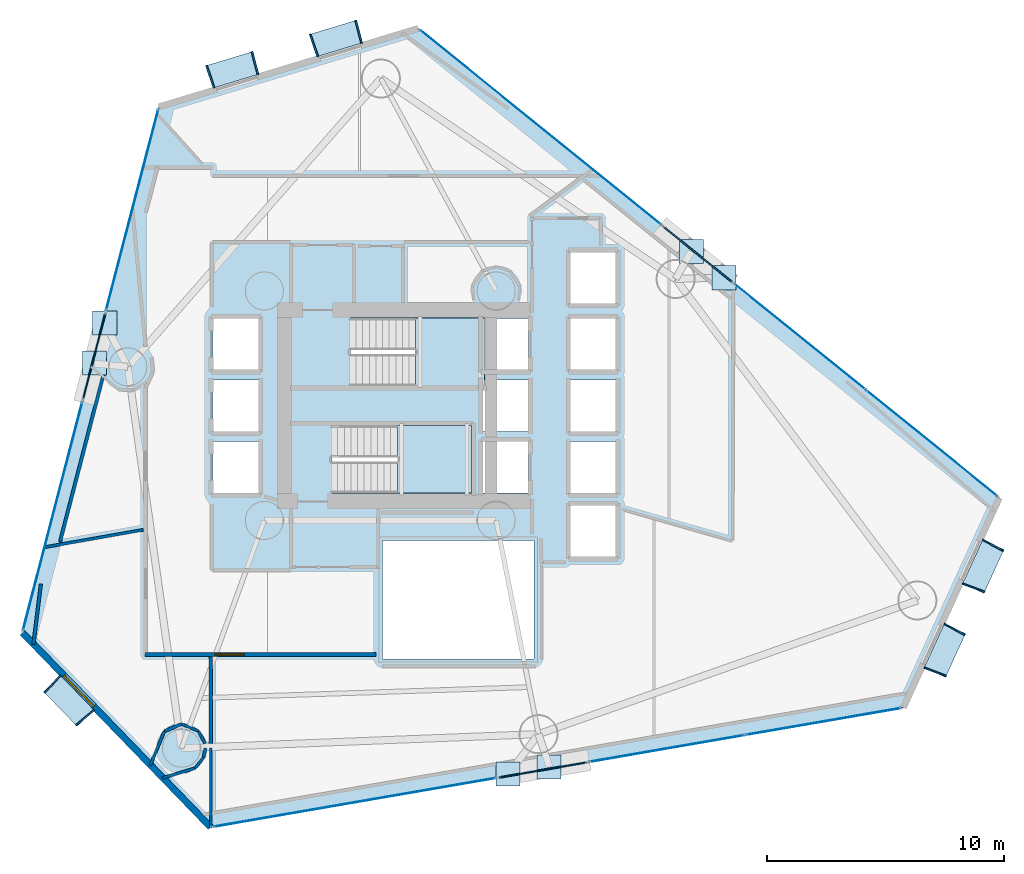
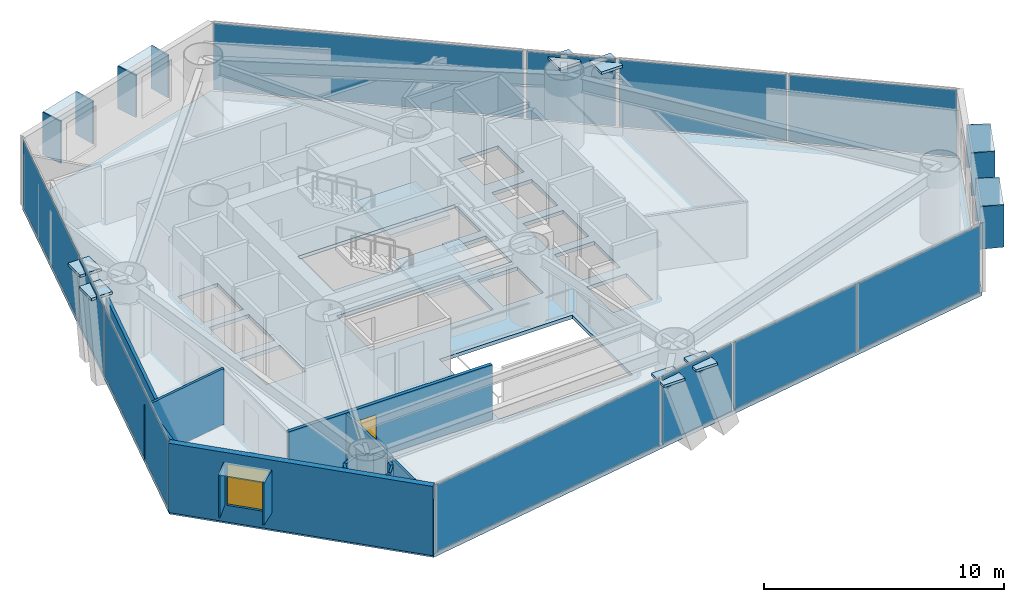
# One storey, part 16 of 23: 32 plates, 14 walls, 3 slabs, 1 door, 1 window, 2 openings, 11 elements without a shape of their own.
"""IFC4 building model written with IfcOpenShell, lengths in metres."""

from ifc_helpers import new_model, si_unit, direction, frame, frame_2d, origin, origin_2d, place, context, subcontext, project, spatial, polyline, rectangle, outline, extrude, material, layer, layer_set, type_object, element, fill, aggregate, save


model = new_model("IFC4")

# Units and contexts
model_context = context("Model", 3, precision=1e-05, world=origin(), true_north=direction((0.0, 1.0)))
body_context = subcontext(model_context, "Body", "Model", "MODEL_VIEW")
ifc_project = project(units=[si_unit("LENGTHUNIT", "METRE"), si_unit("AREAUNIT", "SQUARE_METRE"), si_unit("VOLUMEUNIT", "CUBIC_METRE"), si_unit("PLANEANGLEUNIT", "RADIAN"), si_unit("MASSUNIT", "GRAM", prefix="KILO")], contexts=[model_context])

# Site, building, storey
site_placement = place(None, origin())
site = spatial("IfcSite", under=ifc_project, at=site_placement, CompositionType="ELEMENT")
building_placement = place(site_placement, origin())
building = spatial("IfcBuilding", under=site, at=building_placement, Name="Qianvela Tower", CompositionType="ELEMENT")
storey_placement = place(building_placement, frame((0.0, 0.0, 82.10009765625)))
storey = spatial("IfcBuildingStorey", under=building, at=storey_placement, Name="L20", CompositionType="ELEMENT", Elevation=82.10009765625)

# Curtain wall, plate
ifc_material_1 = material(Name="Anodised Architectural Aluminium and Insulated Spandrel Panel", Category="aluminium")
ifc_layer_1 = layer(ifc_material_1, 0.179931640625)
ifc_layer_set_1 = layer_set([ifc_layer_1], Name="Anodised Architectural Aluminium and Insulated Spandrel Panel")
curtain_wall_type_1 = type_object("IfcCurtainWallType", Name="CW-BRACEBAY", PredefinedType="USERDEFINED", material=ifc_layer_set_1)
curtain_wall_1_placement = place(storey_placement, origin())
curtain_wall_1 = element("IfcCurtainWall", 1, at=curtain_wall_1_placement, inside=storey, type_object=curtain_wall_type_1, Name="L20 CW-BRACEBAY Curtain Wall 02B", ObjectType="CURTAIN_WALL_SYSTEM", PredefinedType="USERDEFINED")
ifc_material_2 = material(Name="Insulated Aluminium Spandrel Panel with Mineral-Wool Backpan", Category="aluminium")
ifc_layer_2 = layer(ifc_material_2, 0.06005859375)
ifc_layer_set_2 = layer_set([ifc_layer_2], Name="Insulated Aluminium Spandrel Panel with Mineral-Wool Backpan")
plate_type_1 = type_object("IfcPlateType", Name="CW-BRACEBAY-PNL", PredefinedType="CURTAIN_PANEL", material=ifc_layer_set_2)
plate_1_placement = place(storey_placement, frame((46.924072265625, 35.097900390625, 0.06494140625), z_axis=(0.0, 0.0, 1.0), x_axis=(-0.778095641805, 0.628145820813, 0.0)))
plate_1 = element("IfcPlate", 2, at=plate_1_placement, type_object=plate_type_1, Name="CW-9 panel 1.1", PredefinedType="CURTAIN_PANEL", context=body_context, shape_type="SweptSolid", body=[
    extrude(rectangle(XDim=3.739990234375, YDim=0.06005859375, at=origin_2d()), origin(), (0.0, 0.0, 1.0), 3.389892578125),
])
aggregate(curtain_wall_1, [plate_1])

curtain_wall_2_placement = place(storey_placement, origin())
curtain_wall_2 = element("IfcCurtainWall", 3, at=curtain_wall_2_placement, inside=storey, type_object=curtain_wall_type_1, Name="L20 CW-BRACEBAY Curtain Wall 04B", ObjectType="CURTAIN_WALL_SYSTEM", PredefinedType="USERDEFINED")
plate_2_placement = place(storey_placement, frame((21.41015625, 30.793212890625, 0.06494140625), z_axis=(0.0, 0.0, 1.0), x_axis=(-0.251396163786, -0.967884274505, 0.0)))
plate_2 = element("IfcPlate", 4, at=plate_2_placement, type_object=plate_type_1, Name="CW-9 panel 1.1", PredefinedType="CURTAIN_PANEL", context=body_context, shape_type="SweptSolid", body=[
    extrude(rectangle(XDim=3.739990234375, YDim=0.06005859375, at=origin_2d()), origin(), (0.0, 0.0, 1.0), 3.389892578125),
])
aggregate(curtain_wall_2, [plate_2])

curtain_wall_3_placement = place(storey_placement, origin())
curtain_wall_3 = element("IfcCurtainWall", 5, at=curtain_wall_3_placement, inside=storey, type_object=curtain_wall_type_1, Name="L20 CW-BRACEBAY Curtain Wall 06B", ObjectType="CURTAIN_WALL_SYSTEM", PredefinedType="USERDEFINED")
plate_3_placement = place(storey_placement, frame((40.370361328125, 13.3046875, 0.06494140625), z_axis=(0.0, 0.0, 1.0), x_axis=(0.985426229932, 0.170103337302, 0.0)))
plate_3 = element("IfcPlate", 6, at=plate_3_placement, type_object=plate_type_1, Name="CW-9 panel 1.1", PredefinedType="CURTAIN_PANEL", context=body_context, shape_type="SweptSolid", body=[
    extrude(rectangle(XDim=3.739990234375, YDim=0.06005859375, at=origin_2d()), origin(), (0.0, 0.0, 1.0), 3.389892578125),
])
aggregate(curtain_wall_3, [plate_3])

# Curtain wall, plates
ifc_material_3 = material(Name="Anodised Architectural Aluminium and Low-E Glass", Category="aluminium")
ifc_layer_3 = layer(ifc_material_3, 0.179931640625)
ifc_layer_set_3 = layer_set([ifc_layer_3], Name="Anodised Architectural Aluminium and Low-E Glass")
curtain_wall_type_2 = type_object("IfcCurtainWallType", Name="CW-COLIV-Z12", PredefinedType="USERDEFINED", material=ifc_layer_set_3)
curtain_wall_4_placement = place(storey_placement, origin())
curtain_wall_4 = element("IfcCurtainWall", 7, at=curtain_wall_4_placement, inside=storey, type_object=curtain_wall_type_2, Name="L20 CW-COLIV-Z12 Curtain Wall 02A", ObjectType="CURTAIN_WALL_SYSTEM", PredefinedType="USERDEFINED")
ifc_material_4 = material(Name="Double-Silver Low-E Insulated Glass", Category="glass")
ifc_layer_4 = layer(ifc_material_4, 0.030029296875)
ifc_layer_set_4 = layer_set([ifc_layer_4], Name="Double-Silver Low-E Insulated Glass")
plate_type_2 = type_object("IfcPlateType", Name="CW-COLIV-Z12-PNL", PredefinedType="CURTAIN_PANEL", material=ifc_layer_set_4)
plate_4_placement = place(storey_placement, frame((56.813720703125, 27.1142578125, 0.06494140625), z_axis=(0.0, 0.0, 1.0), x_axis=(-0.778099109227, 0.62814152563, 0.0)))
plate_4 = element("IfcPlate", 8, at=plate_4_placement, type_object=plate_type_2, Name="CW-3 panel 1.1", PredefinedType="CURTAIN_PANEL", context=body_context, shape_type="SweptSolid", body=[
    extrude(rectangle(XDim=7.090087890625, YDim=0.030029296875, at=origin_2d()), origin(), (0.0, 0.0, 1.0), 3.389892578125),
])
plate_5_placement = place(storey_placement, frame((51.242431640625, 31.611572265625, 0.06494140625), z_axis=(0.0, 0.0, 1.0), x_axis=(-0.778099109227, 0.62814152563, 0.0)))
plate_5 = element("IfcPlate", 9, at=plate_5_placement, type_object=plate_type_2, Name="CW-3 panel 2.1", PredefinedType="CURTAIN_PANEL", context=body_context, shape_type="SweptSolid", body=[
    extrude(rectangle(XDim=7.090087890625, YDim=0.030029296875, at=origin_2d()), origin(), (0.0, 0.0, 1.0), 3.389892578125),
])
aggregate(curtain_wall_4, [plate_4, plate_5])

# Curtain wall, plate
curtain_wall_5_placement = place(storey_placement, origin())
curtain_wall_5 = element("IfcCurtainWall", 10, at=curtain_wall_5_placement, inside=storey, type_object=curtain_wall_type_2, Name="L20 CW-COLIV-Z12 Curtain Wall 02C", ObjectType="CURTAIN_WALL_SYSTEM", PredefinedType="USERDEFINED")
plate_6_placement = place(storey_placement, frame((40.279541015625, 40.4619140625, 0.06494140625), z_axis=(0.0, 0.0, 1.0), x_axis=(-0.778100282062, 0.628140072798, 0.0)))
plate_6 = element("IfcPlate", 11, at=plate_6_placement, type_object=plate_type_2, Name="CW-3 panel 1.1", PredefinedType="CURTAIN_PANEL", context=body_context, shape_type="SweptSolid", body=[
    extrude(rectangle(XDim=13.06884765625, YDim=0.030029296875, at=origin_2d()), origin(), (0.0, 0.0, 1.0), 3.389892578125),
])
aggregate(curtain_wall_5, [plate_6])

curtain_wall_6_placement = place(storey_placement, origin())
curtain_wall_6 = element("IfcCurtainWall", 12, at=curtain_wall_6_placement, inside=storey, type_object=curtain_wall_type_2, Name="L20 CW-COLIV-Z12 Curtain Wall 04A", ObjectType="CURTAIN_WALL_SYSTEM", PredefinedType="USERDEFINED")
plate_7_placement = place(storey_placement, frame((23.01513671875, 36.97314453125, 0.06494140625), z_axis=(0.0, 0.0, 1.0), x_axis=(-0.251392623043, -0.967885194163, 0.0)))
plate_7 = element("IfcPlate", 13, at=plate_7_placement, type_object=plate_type_2, Name="CW-3 panel 1.1", PredefinedType="CURTAIN_PANEL", context=body_context, shape_type="SweptSolid", body=[
    extrude(rectangle(XDim=8.760009765625, YDim=0.030029296875, at=origin_2d()), origin(), (0.0, 0.0, 1.0), 3.389892578125),
])
aggregate(curtain_wall_6, [plate_7])

curtain_wall_7_placement = place(storey_placement, origin())
curtain_wall_7 = element("IfcCurtainWall", 14, at=curtain_wall_7_placement, inside=storey, type_object=curtain_wall_type_2, Name="L20 CW-COLIV-Z12 Curtain Wall 04C", ObjectType="CURTAIN_WALL_SYSTEM", PredefinedType="USERDEFINED")
plate_8_placement = place(storey_placement, frame((19.655517578125, 24.0380859375, 0.06494140625), z_axis=(0.0, 0.0, 1.0), x_axis=(-0.251387993505, -0.967886396599, 0.0)))
plate_8 = element("IfcPlate", 15, at=plate_8_placement, type_object=plate_type_2, Name="CW-3 panel 1.1", PredefinedType="CURTAIN_PANEL", context=body_context, shape_type="SweptSolid", body=[
    extrude(rectangle(XDim=9.94873046875, YDim=0.030029296875, at=origin_2d()), origin(), (0.0, 0.0, 1.0), 3.389892578125),
])
aggregate(curtain_wall_7, [plate_8])

curtain_wall_8_placement = place(storey_placement, origin())
curtain_wall_8 = element("IfcCurtainWall", 16, at=curtain_wall_8_placement, inside=storey, type_object=curtain_wall_type_2, Name="L20 CW-COLIV-Z12 Curtain Wall 06A", ObjectType="CURTAIN_WALL_SYSTEM", PredefinedType="USERDEFINED")
plate_9_placement = place(storey_placement, frame((32.4228515625, 11.932861328125, 0.06494140625), z_axis=(0.0, 0.0, 1.0), x_axis=(0.98542845163, 0.170090466277, 0.0)))
plate_9 = element("IfcPlate", 17, at=plate_9_placement, type_object=plate_type_2, Name="CW-3 panel 1.1", PredefinedType="CURTAIN_PANEL", context=body_context, shape_type="SweptSolid", body=[
    extrude(rectangle(XDim=12.119873046875, YDim=0.030029296875, at=origin_2d()), origin(), (0.0, 0.0, 1.0), 3.389892578125),
])
aggregate(curtain_wall_8, [plate_9])

# Curtain wall, plates
curtain_wall_9_placement = place(storey_placement, origin())
curtain_wall_9 = element("IfcCurtainWall", 18, at=curtain_wall_9_placement, inside=storey, type_object=curtain_wall_type_2, Name="L20 CW-COLIV-Z12 Curtain Wall 06C", ObjectType="CURTAIN_WALL_SYSTEM", PredefinedType="USERDEFINED")
plate_10_placement = place(storey_placement, frame((45.61376953125, 14.209716796875, 0.06494140625), z_axis=(0.0, 0.0, 1.0), x_axis=(0.985429117838, 0.170086606517, 0.0)))
plate_10 = element("IfcPlate", 19, at=plate_10_placement, type_object=plate_type_2, Name="CW-3 panel 1.1", PredefinedType="CURTAIN_PANEL", context=body_context, shape_type="SweptSolid", body=[
    extrude(rectangle(XDim=6.6318359375, YDim=0.030029296875, at=origin_2d()), origin(), (0.0, 0.0, 1.0), 3.389892578125),
])
plate_11_placement = place(storey_placement, frame((52.218017578125, 15.349609375, 0.06494140625), z_axis=(0.0, 0.0, 1.0), x_axis=(0.985429117838, 0.170086606517, 0.0)))
plate_11 = element("IfcPlate", 20, at=plate_11_placement, type_object=plate_type_2, Name="CW-3 panel 2.1", PredefinedType="CURTAIN_PANEL", context=body_context, shape_type="SweptSolid", body=[
    extrude(rectangle(XDim=6.6318359375, YDim=0.030029296875, at=origin_2d()), origin(), (0.0, 0.0, 1.0), 3.389892578125),
])
aggregate(curtain_wall_9, [plate_10, plate_11])

# Plates
ifc_material_5 = material(Name="Steel Q420GJC", Category="steel")
ifc_layer_5 = layer(ifc_material_5, 0.1298828125)
ifc_layer_set_5 = layer_set([ifc_layer_5], Name="Steel Q420GJC")
plate_type_3 = type_object("IfcPlateType", Name="PT-ENDCAP-130", PredefinedType="USERDEFINED", material=ifc_layer_set_5)
for number, where, z_axis, x_axis, name in (
    (21, (48.021240234375, 34.109375, 3.15966796875), (0.0, 0.0, 1.0), (1.0, 0.0, 0.0), "L20 Hollow Section End Cap Plate B"),
    (22, (46.65771484375, 35.210205078125, 3.15966796875), (0.0, 0.0, 1.0), (1.0, 0.0, 0.0), "L20 Hollow Section End Cap Plate B"),
    (23, (21.857177734375, 32.1962890625, 3.15966796875), (0.0, 0.0, 1.0), (1.0, 0.0, 0.0), "L20 Hollow Section End Cap Plate B"),
    (24, (21.41650390625, 30.5, 3.15966796875), (0.0, 0.0, 1.0), (1.0, 0.0, 0.0), "L20 Hollow Section End Cap Plate B"),
    (25, (38.90478515625, 13.1328125, 3.15966796875), (0.0, 0.0, 1.0), (1.0, 0.0, 0.0), "L20 Hollow Section End Cap Plate B"),
    (26, (40.6318359375, 13.430908203125, 3.15966796875), (0.0, 0.0, 1.0), (1.0, 0.0, 0.0), "L20 Hollow Section End Cap Plate B"),
):
    element("IfcPlate", number, at=place(storey_placement, frame(where, z_axis=z_axis, x_axis=x_axis)), inside=storey, type_object=plate_type_3, Name=name, ObjectType="END_CAP", PredefinedType="USERDEFINED", context=body_context, shape_type="SweptSolid", body=[
        extrude(rectangle(XDim=1.02001953125, YDim=1.02001953125, at=origin_2d()), origin(), (0.0, 0.0, 1.0), 0.1298828125),
    ])

# Slab
ifc_material_6 = material(Name="Concrete C40", Category="concrete")
ifc_layer_6 = layer(ifc_material_6, 0.179931640625)
ifc_layer_set_6 = layer_set([ifc_layer_6], Name="Concrete C40")
slab_type_1 = type_object("IfcSlabType", Name="SL-FLOOR-180", PredefinedType="FLOOR", material=ifc_layer_set_6)
slab_1_placement = place(storey_placement, frame((0.0, 0.0, -0.18017578125)))
element("IfcSlab", 27, at=slab_1_placement, inside=storey, type_object=slab_type_1, Name="L20 Composite Structural Floor Slab", PredefinedType="FLOOR", context=body_context, shape_type="SweptSolid", body=[
    extrude(outline(polyline([(55.60400390625, 15.93408203125), (59.665283203125, 24.81201171875), (35.101806640625, 44.6416015625), (24.146484375, 41.32861328125), (18.374755859375, 19.107177734375), (26.3330078125, 10.881591796875), (55.60400390625, 15.93408203125)]), holes=[polyline([(40.0, 23.0), (33.60009765625, 23.0), (33.60009765625, 18.0), (40.0, 18.0), (40.0, 23.0)]), polyline([(28.360107421875, 25.02001953125), (28.360107421875, 27.179931640625), (26.43994140625, 27.179931640625), (26.43994140625, 25.02001953125), (28.360107421875, 25.02001953125)]), polyline([(37.35009765625, 25.0), (37.35009765625, 27.860107421875), (31.469970703125, 27.860107421875), (31.469970703125, 25.0), (37.35009765625, 25.0)]), polyline([(28.360107421875, 27.6201171875), (28.360107421875, 29.780029296875), (26.43994140625, 29.780029296875), (26.43994140625, 27.6201171875), (28.360107421875, 27.6201171875)]), polyline([(37.89990234375, 32.3798828125), (37.89990234375, 32.39990234375), (32.25, 32.39990234375), (32.25, 29.5400390625), (37.840087890625, 29.5400390625), (37.840087890625, 27.6201171875), (39.760009765625, 27.6201171875), (39.760009765625, 29.780029296875), (37.89990234375, 29.780029296875), (37.89990234375, 30.219970703125), (39.760009765625, 30.219970703125), (39.760009765625, 32.3798828125), (37.89990234375, 32.3798828125)]), polyline([(28.360107421875, 30.219970703125), (28.360107421875, 32.3798828125), (26.43994140625, 32.3798828125), (26.43994140625, 30.219970703125), (28.360107421875, 30.219970703125)]), polyline([(43.4599609375, 24.47998046875), (41.5400390625, 24.47998046875), (41.5400390625, 22.320068359375), (43.4599609375, 22.320068359375), (43.4599609375, 24.47998046875)]), polyline([(39.760009765625, 25.02001953125), (39.760009765625, 27.179931640625), (37.840087890625, 27.179931640625), (37.840087890625, 25.02001953125), (39.760009765625, 25.02001953125)]), polyline([(43.4599609375, 25.02001953125), (43.4599609375, 27.179931640625), (41.5400390625, 27.179931640625), (41.5400390625, 25.02001953125), (43.4599609375, 25.02001953125)]), polyline([(43.4599609375, 27.6201171875), (43.4599609375, 29.780029296875), (41.5400390625, 29.780029296875), (41.5400390625, 27.6201171875), (43.4599609375, 27.6201171875)]), polyline([(43.4599609375, 30.219970703125), (43.4599609375, 32.3798828125), (41.5400390625, 32.3798828125), (41.5400390625, 30.219970703125), (43.4599609375, 30.219970703125)]), polyline([(43.4599609375, 33.02001953125), (43.4599609375, 35.179931640625), (41.5400390625, 35.179931640625), (41.5400390625, 33.02001953125), (43.4599609375, 33.02001953125)])]), origin(), (0.0, 0.0, 1.0), 0.18017578125),
])

# Stair, slab
ifc_material_7 = material(Name="Concrete C40", Category="concrete")
stair_type = type_object("IfcStairType", Name="ST-DOGLEG-1350-R168-N22", PredefinedType="HALF_TURN_STAIR", material=ifc_material_7)
stair_1_placement = place(storey_placement, origin())
stair_1 = element("IfcStair", 28, at=stair_1_placement, inside=storey, type_object=stair_type, Name="L20 Smoke-Proof Core Stair ST-1", PredefinedType="HALF_TURN_STAIR")
ifc_material_8 = material(Name="Concrete C40", Category="concrete")
ifc_layer_7 = layer(ifc_material_8, 0.199951171875)
ifc_layer_set_7 = layer_set([ifc_layer_7], Name="Concrete C40")
slab_type_2 = type_object("IfcSlabType", Name="SL-STAIR-LANDING-200", PredefinedType="LANDING", material=ifc_layer_set_7)
slab_2_placement = place(storey_placement, frame((0.0, 0.0, 1.64990234375)))
slab_2 = element("IfcSlab", 29, at=slab_2_placement, type_object=slab_type_2, Name="ST-1 landing 1", PredefinedType="LANDING", context=body_context, shape_type="SweptSolid", body=[
    extrude(outline(polyline([(35.0, 29.5400390625), (37.89990234375, 29.5400390625), (37.89990234375, 32.39990234375), (35.0, 32.39990234375), (35.0, 29.5400390625)])), origin(), (0.0, 0.0, 1.0), 0.199951171875),
])
aggregate(stair_1, [slab_2])

stair_2_placement = place(storey_placement, origin())
stair_2 = element("IfcStair", 30, at=stair_2_placement, inside=storey, type_object=stair_type, Name="L20 Smoke-Proof Core Stair ST-2", PredefinedType="HALF_TURN_STAIR")
slab_3_placement = place(storey_placement, frame((0.0, 0.0, 1.64990234375)))
slab_3 = element("IfcSlab", 31, at=slab_3_placement, type_object=slab_type_2, Name="ST-2 landing 1", PredefinedType="LANDING", context=body_context, shape_type="SweptSolid", body=[
    extrude(outline(polyline([(34.219970703125, 25.0), (37.35009765625, 25.0), (37.35009765625, 27.860107421875), (34.219970703125, 27.860107421875), (34.219970703125, 25.0)])), origin(), (0.0, 0.0, 1.0), 0.199951171875),
])
aggregate(stair_2, [slab_3])

# Plates
ifc_material_9 = material(Name="Vitrified Architectural Terracotta Panel", Category="masonry")
ifc_layer_8 = layer(ifc_material_9, 0.06005859375)
ifc_layer_set_8 = layer_set([ifc_layer_8], Name="Vitrified Architectural Terracotta Panel")
plate_type_4 = type_object("IfcPlateType", Name="TERRACOTTA-SUNSHADE-HOOD-FOLD-A", PredefinedType="USERDEFINED", material=ifc_layer_set_8)
for number, where, z_axis, x_axis, name in (
    (32, (57.36328125, 18.349853515625, 2.9599609375), (0.0, 0.0, 1.0), (0.416012585288, 0.909358855943, 0.0), "L20 Terracotta Sunshade Hood FOLD-A"),
    (33, (58.988037109375, 21.901123046875, 2.9599609375), (0.0, 0.0, 1.0), (0.416012585288, 0.909358855943, 0.0), "L20 Terracotta Sunshade Hood FOLD-A"),
    (34, (20.334716796875, 16.225830078125, 2.9599609375), (0.0, 0.0, 1.0), (0.695333514941, -0.71868720804, 0.0), "L20 Terracotta Sunshade Hood FOLD-A"),
):
    element("IfcPlate", number, at=place(storey_placement, frame(where, z_axis=z_axis, x_axis=x_axis)), inside=storey, type_object=plate_type_4, Name=name, ObjectType="SUNSHADE", PredefinedType="USERDEFINED", context=body_context, shape_type="SweptSolid", body=[
        extrude(rectangle(XDim=2.0400390625, YDim=0.989990234375, at=origin_2d()), origin(), (0.0, 0.0, 1.0), 0.06005859375),
    ])
ifc_material_10 = material(Name="Vitrified Architectural Terracotta Panel", Category="masonry")
ifc_layer_9 = layer(ifc_material_10, 0.070068359375)
ifc_layer_set_9 = layer_set([ifc_layer_9], Name="Vitrified Architectural Terracotta Panel")
plate_type_5 = type_object("IfcPlateType", Name="TERRACOTTA-SUNSHADE-HOOD-FOLD-C", PredefinedType="USERDEFINED", material=ifc_layer_set_9)
for number, where, z_axis, x_axis, name in (
    (35, (31.642822265625, 44.21728515625, 2.9599609375), (0.0, 0.0, 1.0), (-0.957188240501, -0.289466184979, 0.0), "L20 Terracotta Sunshade Hood FOLD-C"),
    (36, (27.2607421875, 42.89208984375, 2.9599609375), (0.0, 0.0, 1.0), (-0.957188240501, -0.289466184979, 0.0), "L20 Terracotta Sunshade Hood FOLD-C"),
):
    element("IfcPlate", number, at=place(storey_placement, frame(where, z_axis=z_axis, x_axis=x_axis)), inside=storey, type_object=plate_type_5, Name=name, ObjectType="SUNSHADE", PredefinedType="USERDEFINED", context=body_context, shape_type="SweptSolid", body=[
        extrude(rectangle(XDim=2.0400390625, YDim=0.989990234375, at=origin_2d()), origin(), (0.0, 0.0, 1.0), 0.06005859375),
    ])
ifc_material_11 = material(Name="Vitrified Architectural Terracotta Side Fin Panel", Category="masonry")
ifc_layer_10 = layer(ifc_material_11, 0.06494140625)
ifc_layer_set_10 = layer_set([ifc_layer_10], Name="Vitrified Architectural Terracotta Side Fin Panel")
plate_type_6 = type_object("IfcPlateType", Name="TERRACOTTA-SUNSHADE-STRUT-FOLD-A", PredefinedType="USERDEFINED", material=ifc_layer_set_10)
for number, where, z_axis, x_axis, name in (
    (37, (56.95166015625, 17.44970703125, 0.85009765625), (0.0, 0.0, 1.0), (0.35156553238, 0.936163274457, 0.0), "L20 Terracotta Sunshade Side Fin HL FOLD-A"),
    (38, (57.775390625, 19.25, 0.85009765625), (0.0, 0.0, 1.0), (0.478432866697, 0.878124132491, 0.0), "L20 Terracotta Sunshade Side Fin HR FOLD-A"),
    (39, (58.576171875, 21.000732421875, 0.85009765625), (0.0, 0.0, 1.0), (0.35156553238, 0.936163274457, 0.0), "L20 Terracotta Sunshade Side Fin HL FOLD-A"),
    (40, (59.39990234375, 22.80126953125, 0.85009765625), (0.0, 0.0, 1.0), (0.478432866697, 0.878124132491, 0.0), "L20 Terracotta Sunshade Side Fin HR FOLD-A"),
    (41, (19.646240234375, 16.937255859375, 0.85009765625), (0.0, 0.0, 1.0), (0.743772802804, -0.668432508044, 0.0), "L20 Terracotta Sunshade Side Fin HL FOLD-A"),
    (42, (21.02294921875, 15.514404296875, 0.85009765625), (0.0, 0.0, 1.0), (0.643506632088, -0.765440536201, 0.0), "L20 Terracotta Sunshade Side Fin HR FOLD-A"),
):
    element("IfcPlate", number, at=place(storey_placement, frame(where, z_axis=z_axis, x_axis=x_axis)), inside=storey, type_object=plate_type_6, Name=name, ObjectType="SUNSHADE", PredefinedType="USERDEFINED", context=body_context, shape_type="SweptSolid", body=[
        extrude(rectangle(XDim=0.06494140625, YDim=1.010009765625, at=origin_2d()), origin(), (0.0, 0.0, 1.0), 2.159912109375),
    ])
ifc_material_12 = material(Name="Vitrified Architectural Terracotta Side Fin Panel", Category="masonry")
ifc_layer_11 = layer(ifc_material_12, 0.074951171875)
ifc_layer_set_11 = layer_set([ifc_layer_11], Name="Vitrified Architectural Terracotta Side Fin Panel")
plate_type_7 = type_object("IfcPlateType", Name="TERRACOTTA-SUNSHADE-STRUT-FOLD-C", PredefinedType="USERDEFINED", material=ifc_layer_set_11)
for number, where, z_axis, x_axis, name in (
    (43, (32.590576171875, 44.50390625, 0.85009765625), (0.0, 0.0, 1.0), (-0.966707371456, -0.255884462157, 0.0), "L20 Terracotta Sunshade Side Fin HL FOLD-C"),
    (44, (30.6953125, 43.930908203125, 0.85009765625), (0.0, 0.0, 1.0), (-0.946502923119, -0.322695237843, 0.0), "L20 Terracotta Sunshade Side Fin HR FOLD-C"),
    (45, (28.20849609375, 43.1787109375, 0.85009765625), (0.0, 0.0, 1.0), (-0.966707371456, -0.255884462157, 0.0), "L20 Terracotta Sunshade Side Fin HL FOLD-C"),
    (46, (26.313232421875, 42.605712890625, 0.85009765625), (0.0, 0.0, 1.0), (-0.946502923119, -0.322695237843, 0.0), "L20 Terracotta Sunshade Side Fin HR FOLD-C"),
):
    element("IfcPlate", number, at=place(storey_placement, frame(where, z_axis=z_axis, x_axis=x_axis)), inside=storey, type_object=plate_type_7, Name=name, ObjectType="SUNSHADE", PredefinedType="USERDEFINED", context=body_context, shape_type="SweptSolid", body=[
        extrude(rectangle(XDim=0.074951171875, YDim=1.010009765625, at=origin_2d()), origin(), (0.0, 0.0, 1.0), 2.159912109375),
    ])

# Wall, opening, window
ifc_material_13 = material(Name="Terracotta Cladding on Concrete C40", Category="masonry")
ifc_layer_12 = layer(ifc_material_13, 0.280029296875)
ifc_layer_set_12 = layer_set([ifc_layer_12], Name="Terracotta Cladding on Concrete C40")
wall_type_1 = type_object("IfcWallType", Name="TERRACOTTA-WALL-280", PredefinedType="SOLIDWALL", material=ifc_layer_set_12)
wall_1_placement = place(storey_placement, frame((18.374755859375, 19.107177734375, 0.0), z_axis=(0.0, 0.0, 1.0), x_axis=(0.695331524054, -0.718689134228, 0.0)))
wall_1 = element("IfcWall", 47, at=wall_1_placement, inside=storey, type_object=wall_type_1, Name="L20 Terracotta Chamfer Facet Wall 5", PredefinedType="SOLIDWALL", context=body_context, shape_type="SweptSolid", body=[
    extrude(rectangle(XDim=11.4453125, YDim=0.280029296875, at=frame_2d((5.72265625, 0.0))), origin(), (0.0, 0.0, 1.0), 3.52001953125),
])
opening_1_placement = place(wall_1_placement, frame((2.533447265625, 0.0, 0.85009765625)))
opening_1 = element("IfcOpeningElement", 48, at=opening_1_placement, cuts=wall_1, Name="Opening W-01", PredefinedType="OPENING", context=body_context, shape_type="SweptSolid", body=[
    extrude(rectangle(XDim=1.800048828125, YDim=2.10009765625, at=frame_2d((0.89990234375, 1.050048828125))), frame((0.0, 0.14990234375, 0.0), z_axis=(0.0, -1.0, 0.0), x_axis=(1.0, 0.0, 0.0)), (0.0, 0.0, 1.0), 0.300048828125),
])
ifc_material_14 = material(Name="Thermally Broken Aluminium and Low-E Glass", Category="aluminium")
window_type = type_object("IfcWindowType", Name="WIN-TC-1800x2100", PartitioningType="DOUBLE_PANEL_VERTICAL", PredefinedType="WINDOW", material=ifc_material_14)
window_placement = place(opening_1_placement, origin())
window = element("IfcWindow", 49, at=window_placement, inside=storey, type_object=window_type, Name="L20 Chamfer Facet Window 5.1", OverallHeight=2.10009765625, OverallWidth=1.800048828125, PartitioningType="SINGLE_PANEL", PredefinedType="WINDOW", context=body_context, shape_type="SweptSolid", body=[
    extrude(rectangle(XDim=1.800048828125, YDim=2.10009765625, at=frame_2d((0.89990234375, 1.050048828125))), frame((0.0, 0.030029296875, 0.0), z_axis=(0.0, -1.0, 0.0), x_axis=(1.0, 0.0, 0.0)), (0.0, 0.0, 1.0), 0.06005859375),
])
fill(opening_1, window)

# Wall, opening, door
ifc_material_15 = material(Name="Fire-Rated Gypsum and Concrete Block", Category="concrete")
ifc_layer_13 = layer(ifc_material_15, 0.159912109375)
ifc_layer_set_13 = layer_set([ifc_layer_13], Name="Fire-Rated Gypsum and Concrete Block")
wall_type_2 = type_object("IfcWallType", Name="WT-CORR-160", PredefinedType="PARTITIONING", material=ifc_layer_set_13)
wall_2_placement = place(storey_placement, frame((33.320068359375, 18.180908203125, 0.0), z_axis=(0.0, 0.0, 1.0), x_axis=(-1.0, 0.0, 0.0)))
wall_2 = element("IfcWall", 50, at=wall_2_placement, inside=storey, type_object=wall_type_2, Name="L20 Partition 46", PredefinedType="PARTITIONING", context=body_context, shape_type="SweptSolid", body=[
    extrude(rectangle(XDim=9.77001953125, YDim=0.159912109375, at=frame_2d((4.885009765625, 0.0))), origin(), (0.0, 0.0, 1.0), 2.7978515625),
])
opening_2_placement = place(wall_2_placement, frame((5.559326171875, 0.0, 0.0)))
opening_2 = element("IfcOpeningElement", 51, at=opening_2_placement, cuts=wall_2, Name="Opening D-LG1", PredefinedType="OPENING", context=body_context, shape_type="SweptSolid", body=[
    extrude(rectangle(XDim=1.25, YDim=2.199951171875, at=frame_2d((0.625, 1.10009765625))), frame((0.0, 0.08984375, 0.0), z_axis=(0.0, -1.0, 0.0), x_axis=(1.0, 0.0, 0.0)), (0.0, 0.0, 1.0), 0.179931640625),
])
ifc_material_16 = material(Name="Anodised Aluminium Acoustic Glass Door", Category="aluminium")
door_type = type_object("IfcDoorType", Name="DT-LOUNGE-1250", OperationType="NOTDEFINED", PredefinedType="DOOR", material=ifc_material_16)
door_placement = place(opening_2_placement, origin())
door = element("IfcDoor", 52, at=door_placement, inside=storey, type_object=door_type, Name="L20 Door Graduate Seminar Classroom L20-02 to L20 Floor Corridor", OperationType="SINGLE_SWING_RIGHT", OverallHeight=2.199951171875, OverallWidth=1.25, PredefinedType="DOOR", context=body_context, shape_type="SweptSolid", body=[
    extrude(rectangle(XDim=1.25, YDim=2.199951171875, at=frame_2d((0.625, 1.10009765625))), frame((0.0, 0.02490234375, 0.0), z_axis=(0.0, -1.0, 0.0), x_axis=(1.0, 0.0, 0.0)), (0.0, 0.0, 1.0), 0.050048828125),
])
fill(opening_2, door)

# Walls
ifc_material_17 = material(Name="Lightweight Gypsum Room Partition")
ifc_layer_14 = layer(ifc_material_17, 0.10498046875)
ifc_layer_set_14 = layer_set([ifc_layer_14], Name="Lightweight Gypsum Room Partition")
wall_type_3 = type_object("IfcWallType", Name="WT-PART-105", PredefinedType="PARTITIONING", material=ifc_layer_set_14)
wall_3_placement = place(storey_placement, frame((25.808349609375, 14.9501953125, 0.0), z_axis=(0.0, 0.0, 1.0), x_axis=(-0.923965532966, 0.382475742879, 0.0)))
element("IfcWall", 53, at=wall_3_placement, inside=storey, type_object=wall_type_3, Name="L20 Partition 53", PredefinedType="PARTITIONING", context=body_context, shape_type="SweptSolid", body=[
    extrude(rectangle(XDim=0.75390625, YDim=0.10498046875, at=frame_2d((0.376953125, 0.0))), origin(), (0.0, 0.0, 1.0), 2.7978515625),
])
wall_4_placement = place(storey_placement, frame((25.671142578125, 13.38623046875, 0.0), z_axis=(0.0, 0.0, 1.0), x_axis=(0.634329694458, 0.773062635709, 0.0)))
element("IfcWall", 54, at=wall_4_placement, inside=storey, type_object=wall_type_3, Name="L20 Partition 59", PredefinedType="PARTITIONING", context=body_context, shape_type="SweptSolid", body=[
    extrude(rectangle(XDim=0.572021484375, YDim=0.10498046875, at=frame_2d((0.2861328125, 0.0))), origin(), (0.0, 0.0, 1.0), 2.83984375),
])
ifc_material_18 = material(Name="Insulated Gypsum Stud Partition")
ifc_layer_15 = layer(ifc_material_18, 0.1201171875)
ifc_layer_set_15 = layer_set([ifc_layer_15], Name="Insulated Gypsum Stud Partition")
wall_type_4 = type_object("IfcWallType", Name="WT-PART-120", PredefinedType="PARTITIONING", material=ifc_layer_set_15)
wall_5_placement = place(storey_placement, frame((26.09375, 14.427978515625, 0.0), z_axis=(0.0, 0.0, 1.0), x_axis=(-0.468979373437, 0.883209118663, 0.0)))
element("IfcWall", 55, at=wall_5_placement, inside=storey, type_object=wall_type_4, Name="L20 Partition 52", PredefinedType="PARTITIONING", context=body_context, shape_type="SweptSolid", body=[
    extrude(rectangle(XDim=0.5751953125, YDim=0.1201171875, at=frame_2d((0.28759765625, 0.0))), origin(), (0.0, 0.0, 1.0), 2.7978515625),
])
wall_6_placement = place(storey_placement, frame((24.375, 14.933349609375, 0.0), z_axis=(0.0, 0.0, 1.0), x_axis=(-0.382799602582, -0.923831404675, 0.0)))
element("IfcWall", 56, at=wall_6_placement, inside=storey, type_object=wall_type_4, Name="L20 Partition 55", PredefinedType="PARTITIONING", context=body_context, shape_type="SweptSolid", body=[
    extrude(rectangle(XDim=1.556884765625, YDim=0.1201171875, at=frame_2d((0.7783203125, 0.0))), origin(), (0.0, 0.0, 1.0), 2.83984375),
])
wall_7_placement = place(storey_placement, frame((24.29443359375, 12.963134765625, 0.0), z_axis=(0.0, 0.0, 1.0), x_axis=(0.956943566799, 0.290274025641, 0.0)))
element("IfcWall", 57, at=wall_7_placement, inside=storey, type_object=wall_type_4, Name="L20 Partition 58", PredefinedType="PARTITIONING", context=body_context, shape_type="SweptSolid", body=[
    extrude(rectangle(XDim=1.423095703125, YDim=0.1201171875, at=frame_2d((0.71142578125, 0.0))), origin(), (0.0, 0.0, 1.0), 2.83984375),
])
wall_8_placement = place(storey_placement, frame((26.33740234375, 14.234375, 0.0), z_axis=(0.0, 0.0, 1.0), x_axis=(0.0, -1.0, 0.0)))
element("IfcWall", 58, at=wall_8_placement, inside=storey, type_object=wall_type_4, Name="L20 Partition 61", PredefinedType="PARTITIONING", context=body_context, shape_type="SweptSolid", body=[
    extrude(rectangle(XDim=3.3720703125, YDim=0.1201171875, at=frame_2d((1.68603515625, 0.0))), origin(), (0.0, 0.0, 1.0), 2.7978515625),
])
wall_9_placement = place(storey_placement, frame((19.293212890625, 22.715576171875, 0.0), z_axis=(0.0, 0.0, 1.0), x_axis=(0.984812483343, 0.173621348494, 0.0)))
element("IfcWall", 59, at=wall_9_placement, inside=storey, type_object=wall_type_4, Name="L20 Partition 64", PredefinedType="PARTITIONING", context=body_context, shape_type="SweptSolid", body=[
    extrude(rectangle(XDim=4.24658203125, YDim=0.1201171875, at=frame_2d((2.123291015625, 0.0))), origin(), (0.0, 0.0, 1.0), 2.83984375),
])
ifc_material_19 = material(Name="Acoustic Double Gypsum Stud Partition")
ifc_layer_16 = layer(ifc_material_19, 0.139892578125)
ifc_layer_set_16 = layer_set([ifc_layer_16], Name="Acoustic Double Gypsum Stud Partition")
wall_type_5 = type_object("IfcWallType", Name="WT-ROOM-140", PredefinedType="PARTITIONING", material=ifc_layer_set_16)
wall_10_placement = place(storey_placement, frame((26.33740234375, 18.07421875, 0.0), z_axis=(0.0, 0.0, 1.0), x_axis=(0.0, -1.0, 0.0)))
element("IfcWall", 60, at=wall_10_placement, inside=storey, type_object=wall_type_5, Name="L20 Partition 51", PredefinedType="PARTITIONING", context=body_context, shape_type="SweptSolid", body=[
    extrude(rectangle(XDim=3.659912109375, YDim=0.139892578125, at=frame_2d((1.830078125, 0.0))), origin(), (0.0, 0.0, 1.0), 2.7978515625),
])
wall_11_placement = place(storey_placement, frame((25.088134765625, 15.238525390625, 0.0), z_axis=(0.0, 0.0, 1.0), x_axis=(-0.923965532966, -0.382475742879, 0.0)))
element("IfcWall", 61, at=wall_11_placement, inside=storey, type_object=wall_type_5, Name="L20 Partition 54", PredefinedType="PARTITIONING", context=body_context, shape_type="SweptSolid", body=[
    extrude(rectangle(XDim=0.75390625, YDim=0.139892578125, at=frame_2d((0.376953125, 0.0))), origin(), (0.0, 0.0, 1.0), 2.7978515625),
])
wall_12_placement = place(storey_placement, frame((26.04052734375, 13.84228515625, 0.0), z_axis=(0.0, 0.0, 1.0), x_axis=(0.188455212737, 0.982081785185, 0.0)))
element("IfcWall", 62, at=wall_12_placement, inside=storey, type_object=wall_type_5, Name="L20 Partition 60", PredefinedType="PARTITIONING", context=body_context, shape_type="SweptSolid", body=[
    extrude(rectangle(XDim=0.392578125, YDim=0.139892578125, at=frame_2d((0.1962890625, 0.0))), origin(), (0.0, 0.0, 1.0), 2.7978515625),
])
wall_13_placement = place(storey_placement, frame((18.8388671875, 18.602783203125, 0.0), z_axis=(0.0, 0.0, 1.0), x_axis=(0.123266239111, 0.992373636437, 0.0)))
element("IfcWall", 63, at=wall_13_placement, inside=storey, type_object=wall_type_5, Name="L20 Partition 63 seg 1", PredefinedType="PARTITIONING", context=body_context, shape_type="SweptSolid", body=[
    extrude(rectangle(XDim=2.580810546875, YDim=0.139892578125, at=frame_2d((1.29052734375, 0.0))), origin(), (0.0, 0.0, 1.0), 2.83984375),
])
wall_14_placement = place(storey_placement, frame((19.96484375, 22.9375, 0.0), z_axis=(0.0, 0.0, 1.0), x_axis=(0.251390945638, 0.96788562984, 0.0)))
element("IfcWall", 64, at=wall_14_placement, inside=storey, type_object=wall_type_5, Name="L20 Partition 108", PredefinedType="PARTITIONING", context=body_context, shape_type="SweptSolid", body=[
    extrude(rectangle(XDim=7.607177734375, YDim=0.139892578125, at=frame_2d((3.8037109375, 0.0))), origin(), (0.0, 0.0, 1.0), 2.7978515625),
])

save(model, "model.ifc")
